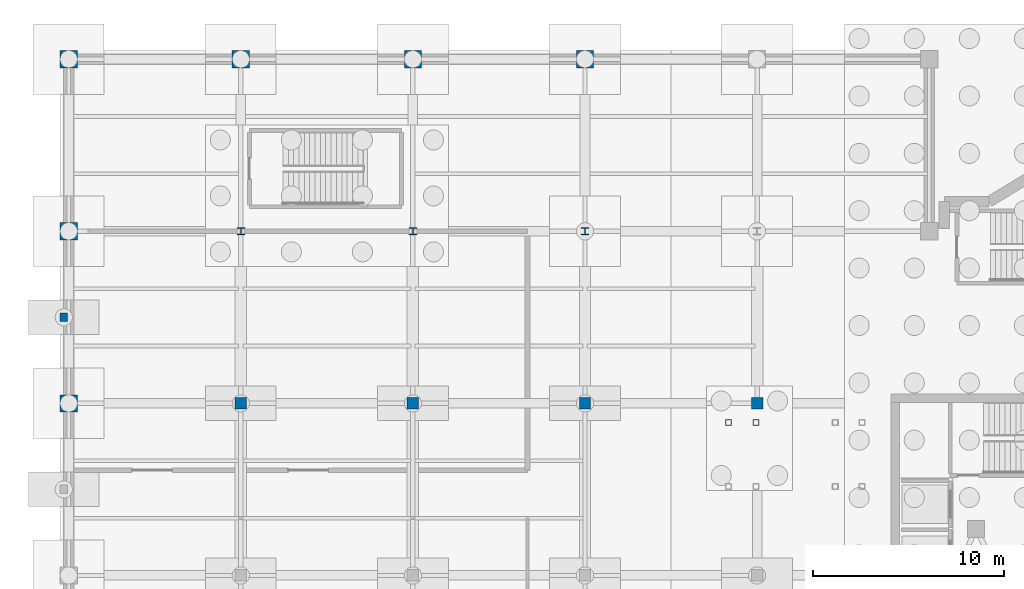
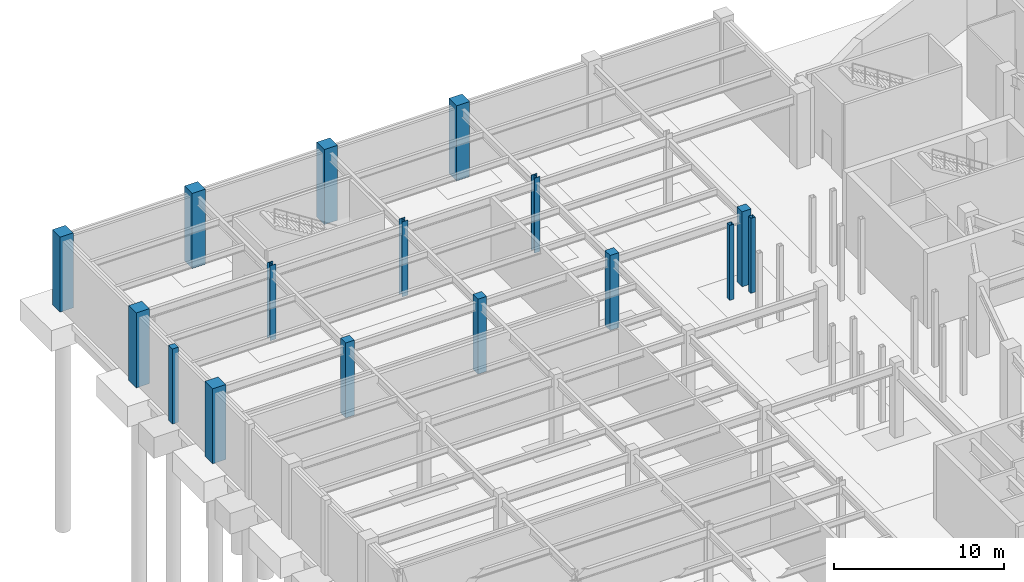
# One storey, part 19 of 56: 16 columns.
"""IFC4 building model written with IfcOpenShell, lengths in metres."""

from ifc_helpers import new_model, si_unit, direction, frame, origin, origin_2d, place, context, subcontext, project, spatial, rectangle, hollow_rectangle, i_section, extrude, material, material_profile, profile_set, type_object, element, save


model = new_model("IFC4")

# Units and contexts
model_context = context("Model", 3, precision=1e-05, world=origin(), true_north=direction((0.0, 1.0)))
body_context = subcontext(model_context, "Body", "Model", "MODEL_VIEW")
ifc_project = project(units=[si_unit("LENGTHUNIT", "METRE"), si_unit("AREAUNIT", "SQUARE_METRE"), si_unit("VOLUMEUNIT", "CUBIC_METRE"), si_unit("PLANEANGLEUNIT", "RADIAN"), si_unit("MASSUNIT", "GRAM", prefix="KILO")], contexts=[model_context])

# Site, building, storey
site_placement = place(None, origin())
site = spatial("IfcSite", under=ifc_project, at=site_placement, CompositionType="ELEMENT")
building_placement = place(site_placement, origin())
building = spatial("IfcBuilding", under=site, at=building_placement, Name="Glasvene Arena", CompositionType="ELEMENT")
storey_placement = place(building_placement, frame((0.0, 0.0, -5.39990234375)))
storey = spatial("IfcBuildingStorey", under=building, at=storey_placement, Name="B1", CompositionType="ELEMENT", Elevation=-5.39990234375)

# Columns
ifc_material_1 = material(Name="Concrete C40/50", Category="concrete")
ifc_material_profile_1 = material_profile(ifc_material_1, rectangle(XDim=0.89990234375, YDim=0.89990234375, at=origin_2d()), Name="RC 900x900")
ifc_profile_set_1 = profile_set([ifc_material_profile_1], Name="Concrete C40/50")
column_type_1 = type_object("IfcColumnType", Name="COL-BOWL-RC900", PredefinedType="COLUMN", material=ifc_profile_set_1)
for number, where, z_axis, x_axis, name in (
    (1, (0.0, 100.0, 0.0), (0.0, 0.0, 1.0), (1.0, 0.0, 0.0), "Grid column 1-12 B1"),
    (2, (0.0, 109.0, 0.0), (0.0, 0.0, 1.0), (1.0, 0.0, 0.0), "Grid column 1-13 B1"),
    (3, (0.0, 118.0, 0.0), (0.0, 0.0, 1.0), (1.0, 0.0, 0.0), "Grid column 1-14 B1"),
    (4, (9.0, 118.0, 0.0), (0.0, 0.0, 1.0), (1.0, 0.0, 0.0), "Grid column 2-14 B1"),
    (5, (18.0, 118.0, 0.0), (0.0, 0.0, 1.0), (1.0, 0.0, 0.0), "Grid column 3-14 B1"),
    (6, (27.0, 118.0, 0.0), (0.0, 0.0, 1.0), (1.0, 0.0, 0.0), "Grid column 4-14 B1"),
):
    element("IfcColumn", number, at=place(storey_placement, frame(where, z_axis=z_axis, x_axis=x_axis)), inside=storey, type_object=column_type_1, Name=name, PredefinedType="COLUMN", context=body_context, shape_type="SweptSolid", body=[
        extrude(rectangle(XDim=0.89990234375, YDim=0.89990234375, at=origin_2d()), origin(), (0.0, 0.0, 1.0), 5.39990234375),
    ])
ifc_material_profile_2 = material_profile(ifc_material_1, rectangle(XDim=0.60009765625, YDim=0.60009765625, at=origin_2d()), Name="RC 600x600")
ifc_profile_set_2 = profile_set([ifc_material_profile_2], Name="Concrete C40/50")
column_type_2 = type_object("IfcColumnType", Name="COL-IN-RC600", PredefinedType="COLUMN", material=ifc_profile_set_2)
for number, where, z_axis, x_axis, name in (
    (7, (9.0, 100.0, 0.0), (0.0, 0.0, 1.0), (1.0, 0.0, 0.0), "Grid column 2-12 B1"),
    (8, (18.0, 100.0, 0.0), (0.0, 0.0, 1.0), (1.0, 0.0, 0.0), "Grid column 3-12 B1"),
    (9, (27.0, 100.0, 0.0), (0.0, 0.0, 1.0), (1.0, 0.0, 0.0), "Grid column 4-12 B1"),
    (10, (36.0, 100.0, 0.0), (0.0, 0.0, 1.0), (1.0, 0.0, 0.0), "Grid column 5-12 B1"),
):
    element("IfcColumn", number, at=place(storey_placement, frame(where, z_axis=z_axis, x_axis=x_axis)), inside=storey, type_object=column_type_2, Name=name, PredefinedType="COLUMN", context=body_context, shape_type="SweptSolid", body=[
        extrude(rectangle(XDim=0.60009765625, YDim=0.60009765625, at=origin_2d()), origin(), (0.0, 0.0, 1.0), 5.39990234375),
    ])
ifc_material_2 = material(Name="Steel S355J2", Category="steel")
ifc_material_profile_3 = material_profile(ifc_material_2, hollow_rectangle(XDim=0.300048828125, YDim=0.300048828125, WallThickness=0.012451171875, at=origin_2d()), Name="SHS 300x300x12.5")
ifc_profile_set_3 = profile_set([ifc_material_profile_3], Name="Steel S355J2")
column_type_3 = type_object("IfcColumnType", Name="COL-W-SHS300", PredefinedType="COLUMN", material=ifc_profile_set_3)
for number, where, z_axis, x_axis, name in (
    (11, (34.5, 99.0, 0.0), (0.0, 0.0, 1.0), (1.0, 0.0, 0.0), "Vomitory arrival support column VOM-06 B1"),
    (12, (35.949951171875, 99.0, 0.0), (0.0, 0.0, 1.0), (1.0, 0.0, 0.0), "Vomitory arrival support column VOM-06 B1"),
):
    element("IfcColumn", number, at=place(storey_placement, frame(where, z_axis=z_axis, x_axis=x_axis)), inside=storey, type_object=column_type_3, Name=name, PredefinedType="COLUMN", context=body_context, shape_type="SweptSolid", body=[
        extrude(hollow_rectangle(XDim=0.300048828125, YDim=0.300048828125, WallThickness=0.012451171875, at=origin_2d()), origin(), (0.0, 0.0, 1.0), 5.39990234375),
    ])
ifc_material_profile_4 = material_profile(ifc_material_2, i_section(OverallWidth=0.394775390625, OverallDepth=0.381103515625, WebThickness=0.018310546875, FlangeThickness=0.0302734375, FilletRadius=0.01513671875, at=origin_2d()), Name="UKC 356x406x235")
ifc_profile_set_4 = profile_set([ifc_material_profile_4], Name="Steel S355J2")
column_type_4 = type_object("IfcColumnType", Name="COL-W-UKC235", PredefinedType="COLUMN", material=ifc_profile_set_4)
for number, where, z_axis, x_axis, name in (
    (13, (9.0, 109.0, 0.0), (0.0, 0.0, 1.0), (1.0, 0.0, 0.0), "Grid column 2-13 B1"),
    (14, (18.0, 109.0, 0.0), (0.0, 0.0, 1.0), (1.0, 0.0, 0.0), "Grid column 3-13 B1"),
    (15, (27.0, 109.0, 0.0), (0.0, 0.0, 1.0), (1.0, 0.0, 0.0), "Grid column 4-13 B1"),
):
    element("IfcColumn", number, at=place(storey_placement, frame(where, z_axis=z_axis, x_axis=x_axis)), inside=storey, type_object=column_type_4, Name=name, PredefinedType="COLUMN", context=body_context, shape_type="SweptSolid", body=[
        extrude(i_section(OverallWidth=0.394775390625, OverallDepth=0.381103515625, WebThickness=0.018310546875, FlangeThickness=0.0302734375, FilletRadius=0.01513671875, at=origin_2d()), origin(), (0.0, 0.0, 1.0), 5.39990234375),
    ])
ifc_material_3 = material(Name="Precast concrete C50/60", Category="concrete")
ifc_material_profile_5 = material_profile(ifc_material_3, rectangle(XDim=0.39990234375, YDim=0.449951171875, at=origin_2d()), Name="RC 400x450")
ifc_profile_set_5 = profile_set([ifc_material_profile_5], Name="Precast concrete C50/60")
column_type_5 = type_object("IfcColumnType", Name="PIL-LIM-400", PredefinedType="PILASTER", material=ifc_profile_set_5)
column_placement = place(storey_placement, frame((-0.260009765625, 104.5, 0.0), z_axis=(0.0, 0.0, 1.0), x_axis=(1.0, 0.0, 0.0)))
element("IfcColumn", 16, at=column_placement, inside=storey, type_object=column_type_5, Name="Limestone pilaster PL-12 B1", PredefinedType="PILASTER", context=body_context, shape_type="SweptSolid", body=[
    extrude(rectangle(XDim=0.39990234375, YDim=0.449951171875, at=origin_2d()), origin(), (0.0, 0.0, 1.0), 5.39990234375),
])

save(model, "model.ifc")
